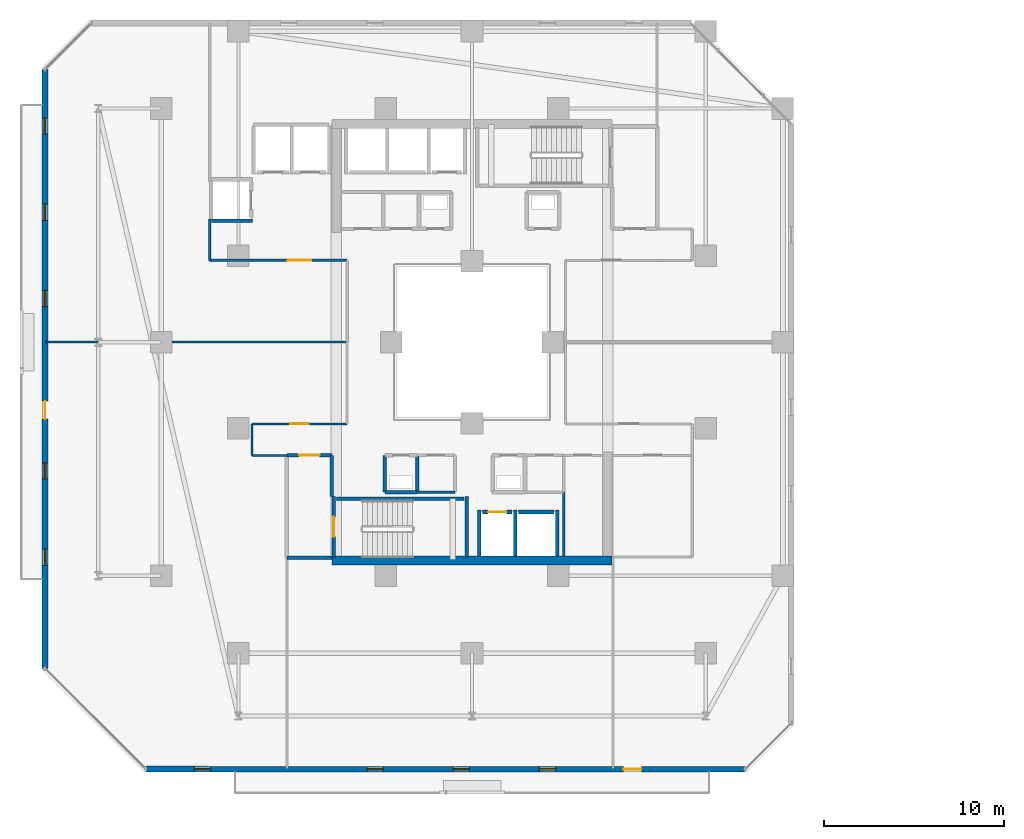
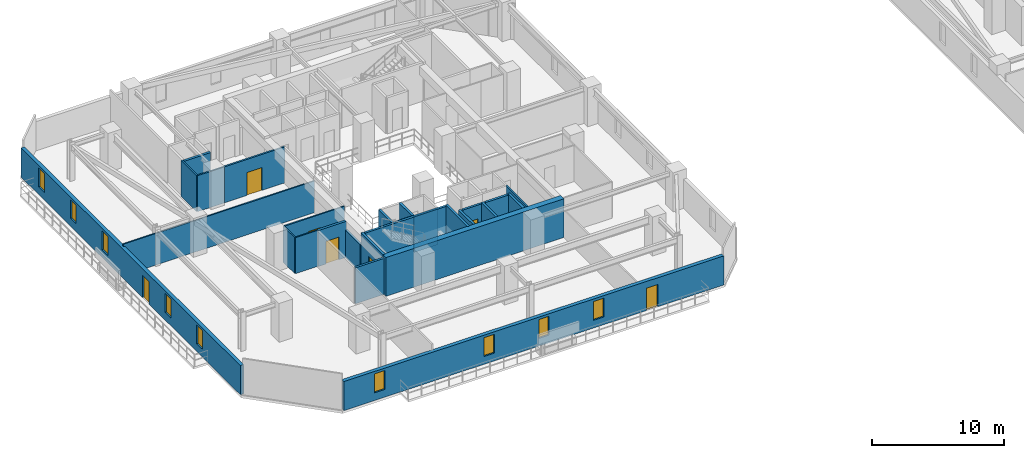
# One storey, part 18 of 31: 27 walls, 9 windows, 7 doors, 16 openings.
"""IFC4 building model written with IfcOpenShell, lengths in metres."""

from ifc_helpers import new_model, si_unit, direction, frame, frame_2d, origin, place, context, subcontext, project, spatial, rectangle, extrude, material, layer, layer_set, type_object, element, fill, save


model = new_model("IFC4")

# Units and contexts
model_context = context("Model", 3, precision=1e-05, world=origin(), true_north=direction((0.0, 1.0)))
body_context = subcontext(model_context, "Body", "Model", "MODEL_VIEW")
ifc_project = project(units=[si_unit("LENGTHUNIT", "METRE"), si_unit("AREAUNIT", "SQUARE_METRE"), si_unit("VOLUMEUNIT", "CUBIC_METRE"), si_unit("PLANEANGLEUNIT", "RADIAN"), si_unit("MASSUNIT", "GRAM", prefix="KILO")], contexts=[model_context])

# Site, building, storey
site_placement = place(None, origin())
site = spatial("IfcSite", under=ifc_project, at=site_placement, CompositionType="ELEMENT")
building_placement = place(site_placement, origin())
building = spatial("IfcBuilding", under=site, at=building_placement, Name="Thornwick Lancets Civic Towers", CompositionType="ELEMENT")
storey_placement = place(building_placement, frame((0.0, 0.0, 126.89990234375)))
storey = spatial("IfcBuildingStorey", under=building, at=storey_placement, Name="L33", CompositionType="ELEMENT", Elevation=126.89990234375)

# Wall, opening, door
ifc_material_1 = material(Name="Concrete blockwork C40/50", Category="masonry")
ifc_layer_1 = layer(ifc_material_1, 0.199951171875, Name="Concrete blockwork C40/50")
ifc_layer_set_1 = layer_set([ifc_layer_1], Name="Concrete blockwork C40/50")
wall_type_1 = type_object("IfcWallType", Name="WALL_COMP_200", PredefinedType="STANDARD", material=ifc_layer_set_1)
wall_1_placement = place(storey_placement, frame((26.080078125, 17.550048828125, 0.0), z_axis=(0.0, 0.0, 1.0), x_axis=(1.0, 0.0, 0.0)))
wall_1 = element("IfcWall", 1, at=wall_1_placement, inside=storey, type_object=wall_type_1, Name="L33 Hoistway Front Wall FL-A1", PredefinedType="STANDARD", context=body_context, shape_type="SweptSolid", body=[
    extrude(rectangle(XDim=1.639892578125, YDim=0.199951171875, at=frame_2d((0.81982421875, 0.0))), origin(), (0.0, 0.0, 1.0), 3.340087890625),
])
opening_1_placement = place(wall_1_placement, frame((0.31005859375, 0.0, 0.0)))
opening_1 = element("IfcOpeningElement", 2, at=opening_1_placement, cuts=wall_1, Name="Opening LD-FL-A1", PredefinedType="OPENING", context=body_context, shape_type="SweptSolid", body=[
    extrude(rectangle(XDim=1.02001953125, YDim=2.06005859375, at=frame_2d((0.510009765625, 1.030029296875))), frame((0.0, 0.10986328125, 0.0), z_axis=(0.0, -1.0, 0.0), x_axis=(1.0, 0.0, 0.0)), (0.0, 0.0, 1.0), 0.219970703125),
])
ifc_material_2 = material(Name="Brushed bronze stainless steel", Category="steel")
door_type_1 = type_object("IfcDoorType", Name="DOOR_LIFT_SLIDE", OperationType="SLIDING_TO_LEFT", PredefinedType="DOOR", material=ifc_material_2)
door_1_placement = place(opening_1_placement, origin())
door_1 = element("IfcDoor", 3, at=door_1_placement, inside=storey, type_object=door_type_1, Name="L33 Sliding Lift Landing Door LD-FL-A1", OperationType="SLIDING_TO_LEFT", OverallHeight=2.06005859375, OverallWidth=1.02001953125, PredefinedType="DOOR", context=body_context, shape_type="SweptSolid", body=[
    extrude(rectangle(XDim=1.02001953125, YDim=2.06005859375, at=frame_2d((0.510009765625, 1.030029296875))), frame((0.0, 0.02490234375, 0.0), z_axis=(0.0, -1.0, 0.0), x_axis=(1.0, 0.0, 0.0)), (0.0, 0.0, 1.0), 0.050048828125),
])
fill(opening_1, door_1)

# Walls
wall_2_placement = place(storey_placement, frame((28.080078125, 17.550048828125, 0.0), z_axis=(0.0, 0.0, 1.0), x_axis=(1.0, 0.0, 0.0)))
element("IfcWall", 4, at=wall_2_placement, inside=storey, type_object=wall_type_1, Name="L33 Hoistway Front Wall PL-AH1", PredefinedType="STANDARD", context=body_context, shape_type="SweptSolid", body=[
    extrude(rectangle(XDim=1.989990234375, YDim=0.199951171875, at=frame_2d((0.9951171875, 0.0))), origin(), (0.0, 0.0, 1.0), 3.340087890625),
])
for number, where, z_axis, x_axis, name in (
    (5, (27.89990234375, 15.112060546875, 0.0), (0.0, 0.0, 1.0), (0.0, 1.0, 0.0), "L33 Hoistway Shaft Wall FL-A1 E"),
    (6, (25.89990234375, 15.112060546875, 0.0), (0.0, 0.0, 1.0), (0.0, 1.0, 0.0), "L33 Hoistway Shaft Wall FL-A1 W"),
    (7, (30.25, 15.112060546875, 0.0), (0.0, 0.0, 1.0), (0.0, 1.0, 0.0), "L33 Hoistway Shaft Wall PL-AH1 E"),
):
    element("IfcWall", number, at=place(storey_placement, frame(where, z_axis=z_axis, x_axis=x_axis)), inside=storey, type_object=wall_type_1, Name=name, PredefinedType="STANDARD", context=body_context, shape_type="SweptSolid", body=[
        extrude(rectangle(XDim=2.535888671875, YDim=0.199951171875, at=frame_2d((1.26806640625, 0.0))), origin(), (0.0, 0.0, 1.0), 3.340087890625),
    ])
wall_3_placement = place(storey_placement, frame((11.001953125, 33.75, 0.0), z_axis=(0.0, 0.0, 1.0), x_axis=(1.0, 0.0, 0.0)))
element("IfcWall", 8, at=wall_3_placement, inside=storey, type_object=wall_type_1, Name="L33 Hoistway Shaft Wall PL-AM3 S", PredefinedType="STANDARD", context=body_context, shape_type="SweptSolid", body=[
    extrude(rectangle(XDim=2.296142578125, YDim=0.199951171875, at=frame_2d((1.14794921875, 0.0))), origin(), (0.0, 0.0, 1.0), 3.340087890625),
])
wall_4_placement = place(storey_placement, frame((15.199951171875, 15.0, 0.0), z_axis=(0.0, 0.0, 1.0), x_axis=(1.0, 0.0, 0.0)))
element("IfcWall", 9, at=wall_4_placement, inside=storey, type_object=wall_type_1, Name="L33 Partition L33-A-FFLOB1 E1", PredefinedType="STANDARD", context=body_context, shape_type="SweptSolid", body=[
    extrude(rectangle(XDim=2.5, YDim=0.199951171875, at=frame_2d((1.25, 0.0))), origin(), (0.0, 0.0, 1.0), 3.340087890625),
])
wall_5_placement = place(storey_placement, frame((17.699951171875, 18.39990234375, 0.0), z_axis=(0.0, 0.0, 1.0), x_axis=(0.0, 1.0, 0.0)))
element("IfcWall", 10, at=wall_5_placement, inside=storey, type_object=wall_type_1, Name="L33 Partition L33-A-FFLOB1 E2", PredefinedType="STANDARD", context=body_context, shape_type="SweptSolid", body=[
    extrude(rectangle(XDim=2.300048828125, YDim=0.199951171875, at=frame_2d((1.14990234375, 0.0))), origin(), (0.0, 0.0, 1.0), 2.545166015625),
])

# Wall, opening, door
wall_6_placement = place(storey_placement, frame((17.699951171875, 20.699951171875, 0.0), z_axis=(0.0, 0.0, 1.0), x_axis=(-1.0, 0.0, 0.0)))
wall_6 = element("IfcWall", 11, at=wall_6_placement, inside=storey, type_object=wall_type_1, Name="L33 Partition L33-A-FFLOB1 E3", PredefinedType="STANDARD", context=body_context, shape_type="SweptSolid", body=[
    extrude(rectangle(XDim=2.5, YDim=0.199951171875, at=frame_2d((1.25, 0.0))), origin(), (0.0, 0.0, 1.0), 3.340087890625),
])
opening_2_placement = place(wall_6_placement, frame((0.675048828125, 0.0, 0.0)))
opening_2 = element("IfcOpeningElement", 12, at=opening_2_placement, cuts=wall_6, Name="Opening D-L33-1493", PredefinedType="OPENING", context=body_context, shape_type="SweptSolid", body=[
    extrude(rectangle(XDim=1.14990234375, YDim=2.10009765625, at=frame_2d((0.574951171875, 1.050048828125))), frame((0.0, 0.10986328125, 0.0), z_axis=(0.0, -1.0, 0.0), x_axis=(1.0, 0.0, 0.0)), (0.0, 0.0, 1.0), 0.219970703125),
])
ifc_material_3 = material(Name="Glazed fire-resisting steel", Category="steel")
door_type_2 = type_object("IfcDoorType", Name="DOOR_LOBBY_FD60", OperationType="NOTDEFINED", PredefinedType="DOOR", material=ifc_material_3)
door_2_placement = place(opening_2_placement, origin())
door_2 = element("IfcDoor", 13, at=door_2_placement, inside=storey, type_object=door_type_2, Name="L33 South Firefighting Lobby 1 Door", OperationType="SINGLE_SWING_RIGHT", OverallHeight=2.10009765625, OverallWidth=1.14990234375, PredefinedType="DOOR", context=body_context, shape_type="SweptSolid", body=[
    extrude(rectangle(XDim=1.14990234375, YDim=2.10009765625, at=frame_2d((0.574951171875, 1.050048828125))), frame((0.0, 0.02490234375, 0.0), z_axis=(0.0, -1.0, 0.0), x_axis=(1.0, 0.0, 0.0)), (0.0, 0.0, 1.0), 0.050048828125),
])
fill(opening_2, door_2)

# Walls
wall_7_placement = place(storey_placement, frame((20.64990234375, 18.64990234375, 0.0), z_axis=(0.0, 0.0, 1.0), x_axis=(1.0, 0.0, 0.0)))
element("IfcWall", 14, at=wall_7_placement, inside=storey, type_object=wall_type_1, Name="L33 Partition L33-A-RISER1 E1", PredefinedType="STANDARD", context=body_context, shape_type="SweptSolid", body=[
    extrude(rectangle(XDim=1.800048828125, YDim=0.199951171875, at=frame_2d((0.89990234375, 0.0))), origin(), (0.0, 0.0, 1.0), 3.340087890625),
])
for number, where, z_axis, x_axis, name in (
    (15, (22.449951171875, 18.64990234375, 0.0), (0.0, 0.0, 1.0), (0.0, 1.0, 0.0), "L33 Partition L33-A-RISER1 E2"),
    (16, (20.64990234375, 20.699951171875, 0.0), (0.0, 0.0, 1.0), (0.0, -1.0, 0.0), "L33 Partition L33-A-RISER1 E4"),
):
    element("IfcWall", number, at=place(storey_placement, frame(where, z_axis=z_axis, x_axis=x_axis)), inside=storey, type_object=wall_type_1, Name=name, PredefinedType="STANDARD", context=body_context, shape_type="SweptSolid", body=[
        extrude(rectangle(XDim=2.050048828125, YDim=0.199951171875, at=frame_2d((1.02490234375, 0.0))), origin(), (0.0, 0.0, 1.0), 3.340087890625),
    ])
ifc_material_4 = material(Name="Concrete C50/60", Category="concrete")
ifc_layer_2 = layer(ifc_material_4, 0.5, Name="Concrete C50/60")
ifc_layer_set_2 = layer_set([ifc_layer_2], Name="Concrete C50/60")
wall_type_2 = type_object("IfcWallType", Name="WALL_CORE_500", PredefinedType="SHEAR", material=ifc_layer_set_2)
wall_8_placement = place(storey_placement, frame((17.699951171875, 14.85009765625, 0.0), z_axis=(0.0, 0.0, 1.0), x_axis=(1.0, 0.0, 0.0)))
element("IfcWall", 17, at=wall_8_placement, inside=storey, type_object=wall_type_2, Name="L33 Split Core A1 Shear Wall S", PredefinedType="SHEAR", context=body_context, shape_type="SweptSolid", body=[
    extrude(rectangle(XDim=15.60009765625, YDim=0.5, at=frame_2d((7.800048828125, 0.0))), origin(), (0.0, 0.0, 1.0), 3.60009765625),
])

# Wall, openings, door, windows
ifc_material_5 = material(Name="Insulated buff terracotta rainscreen on concrete C40/50", Category="masonry")
ifc_layer_3 = layer(ifc_material_5, 0.320068359375, Name="Insulated buff terracotta rainscreen on concrete C40/50")
ifc_layer_set_3 = layer_set([ifc_layer_3], Name="Insulated buff terracotta rainscreen on concrete C40/50")
wall_type_3 = type_object("IfcWallType", Name="WALL_EXT_TERRA_320", PredefinedType="STANDARD", material=ifc_layer_set_3)
wall_9_placement = place(storey_placement, frame((7.35205078125, 3.245361328125, 0.0), z_axis=(0.0, 0.0, 1.0), x_axis=(0.999999954901, -0.000300328883, 0.0)))
wall_9 = element("IfcWall", 18, at=wall_9_placement, inside=storey, type_object=wall_type_3, Name="L33 Tower A Terracotta Facade Wall E0", PredefinedType="STANDARD", context=body_context, shape_type="SweptSolid", body=[
    extrude(rectangle(XDim=33.329345703125, YDim=0.320068359375, at=frame_2d((16.66455078125, 0.0))), origin(), (0.0, 0.0, 1.0), 2.7001953125),
])
opening_3_placement = place(wall_9_placement, frame((26.564697265625, 0.0, 0.0)))
opening_3 = element("IfcOpeningElement", 19, at=opening_3_placement, cuts=wall_9, Name="Opening D-BL-L33-AS", PredefinedType="OPENING", context=body_context, shape_type="SweptSolid", body=[
    extrude(rectangle(XDim=1.0, YDim=2.080078125, at=frame_2d((0.5, 1.0400390625))), frame((0.0, 0.169921875, 0.0), z_axis=(0.0, -1.0, 0.0), x_axis=(1.0, 0.0, 0.0)), (0.0, 0.0, 1.0), 0.340087890625),
])
opening_4_placement = place(wall_9_placement, frame((2.699951171875, 0.0, 0.719970703125)))
opening_4 = element("IfcOpeningElement", 20, at=opening_4_placement, cuts=wall_9, Name="Opening WL-01", PredefinedType="OPENING", context=body_context, shape_type="SweptSolid", body=[
    extrude(rectangle(XDim=0.89990234375, YDim=1.75, at=frame_2d((0.449951171875, 0.875))), frame((0.0, 0.169921875, 0.0), z_axis=(0.0, -1.0, 0.0), x_axis=(1.0, 0.0, 0.0)), (0.0, 0.0, 1.0), 0.340087890625),
])
opening_5_placement = place(wall_9_placement, frame((12.300048828125, 0.0, 0.719970703125)))
opening_5 = element("IfcOpeningElement", 21, at=opening_5_placement, cuts=wall_9, Name="Opening WL-01", PredefinedType="OPENING", context=body_context, shape_type="SweptSolid", body=[
    extrude(rectangle(XDim=0.89990234375, YDim=1.75, at=frame_2d((0.449951171875, 0.875))), frame((0.0, 0.169921875, 0.0), z_axis=(0.0, -1.0, 0.0), x_axis=(1.0, 0.0, 0.0)), (0.0, 0.0, 1.0), 0.340087890625),
])
opening_6_placement = place(wall_9_placement, frame((17.10009765625, 0.0, 0.719970703125)))
opening_6 = element("IfcOpeningElement", 22, at=opening_6_placement, cuts=wall_9, Name="Opening WL-01", PredefinedType="OPENING", context=body_context, shape_type="SweptSolid", body=[
    extrude(rectangle(XDim=0.89990234375, YDim=1.75, at=frame_2d((0.449951171875, 0.875))), frame((0.0, 0.169921875, 0.0), z_axis=(0.0, -1.0, 0.0), x_axis=(1.0, 0.0, 0.0)), (0.0, 0.0, 1.0), 0.340087890625),
])
opening_7_placement = place(wall_9_placement, frame((21.89990234375, 0.0, 0.719970703125)))
opening_7 = element("IfcOpeningElement", 23, at=opening_7_placement, cuts=wall_9, Name="Opening WL-01", PredefinedType="OPENING", context=body_context, shape_type="SweptSolid", body=[
    extrude(rectangle(XDim=0.89990234375, YDim=1.75, at=frame_2d((0.449951171875, 0.875))), frame((0.0, 0.169921875, 0.0), z_axis=(0.0, -1.0, 0.0), x_axis=(1.0, 0.0, 0.0)), (0.0, 0.0, 1.0), 0.340087890625),
])
ifc_material_6 = material(Name="Thermally broken glazed loggia doorset")
door_type_3 = type_object("IfcDoorType", Name="DOOR_BALC_1000", OperationType="NOTDEFINED", PredefinedType="DOOR", material=ifc_material_6)
door_3_placement = place(opening_3_placement, origin())
door_3 = element("IfcDoor", 24, at=door_3_placement, inside=storey, type_object=door_type_3, Name="L33 Tower A Loggia Balcony Door S", OperationType="SINGLE_SWING_RIGHT", OverallHeight=2.080078125, OverallWidth=1.0, PredefinedType="DOOR", context=body_context, shape_type="SweptSolid", body=[
    extrude(rectangle(XDim=1.0, YDim=2.080078125, at=frame_2d((0.5, 1.0400390625))), frame((0.0, 0.02490234375, 0.0), z_axis=(0.0, -1.0, 0.0), x_axis=(1.0, 0.0, 0.0)), (0.0, 0.0, 1.0), 0.050048828125),
])
fill(opening_3, door_3)
ifc_material_7 = material(Name="Clear low-e double glazing in bronze frame", Category="glass")
window_type = type_object("IfcWindowType", Name="WIN_LANCET_900", PartitioningType="SINGLE_PANEL", PredefinedType="WINDOW", material=ifc_material_7)
window_1_placement = place(opening_4_placement, origin())
window_1 = element("IfcWindow", 25, at=window_1_placement, inside=storey, type_object=window_type, Name="L33 Tower A Staggered Lancet Window E0-1", OverallHeight=1.75, OverallWidth=0.89990234375, PartitioningType="SINGLE_PANEL", PredefinedType="WINDOW", context=body_context, shape_type="SweptSolid", body=[
    extrude(rectangle(XDim=0.89990234375, YDim=1.75, at=frame_2d((0.449951171875, 0.875))), frame((0.0, 0.030029296875, 0.0), z_axis=(0.0, -1.0, 0.0), x_axis=(1.0, 0.0, 0.0)), (0.0, 0.0, 1.0), 0.06005859375),
])
fill(opening_4, window_1)
window_2_placement = place(opening_5_placement, origin())
window_2 = element("IfcWindow", 26, at=window_2_placement, inside=storey, type_object=window_type, Name="L33 Tower A Staggered Lancet Window E0-2", OverallHeight=1.75, OverallWidth=0.89990234375, PartitioningType="SINGLE_PANEL", PredefinedType="WINDOW", context=body_context, shape_type="SweptSolid", body=[
    extrude(rectangle(XDim=0.89990234375, YDim=1.75, at=frame_2d((0.449951171875, 0.875))), frame((0.0, 0.030029296875, 0.0), z_axis=(0.0, -1.0, 0.0), x_axis=(1.0, 0.0, 0.0)), (0.0, 0.0, 1.0), 0.06005859375),
])
fill(opening_5, window_2)
window_3_placement = place(opening_6_placement, origin())
window_3 = element("IfcWindow", 27, at=window_3_placement, inside=storey, type_object=window_type, Name="L33 Tower A Staggered Lancet Window E0-3", OverallHeight=1.75, OverallWidth=0.89990234375, PartitioningType="SINGLE_PANEL", PredefinedType="WINDOW", context=body_context, shape_type="SweptSolid", body=[
    extrude(rectangle(XDim=0.89990234375, YDim=1.75, at=frame_2d((0.449951171875, 0.875))), frame((0.0, 0.030029296875, 0.0), z_axis=(0.0, -1.0, 0.0), x_axis=(1.0, 0.0, 0.0)), (0.0, 0.0, 1.0), 0.06005859375),
])
fill(opening_6, window_3)
window_4_placement = place(opening_7_placement, origin())
window_4 = element("IfcWindow", 28, at=window_4_placement, inside=storey, type_object=window_type, Name="L33 Tower A Staggered Lancet Window E0-4", OverallHeight=1.75, OverallWidth=0.89990234375, PartitioningType="SINGLE_PANEL", PredefinedType="WINDOW", context=body_context, shape_type="SweptSolid", body=[
    extrude(rectangle(XDim=0.89990234375, YDim=1.75, at=frame_2d((0.449951171875, 0.875))), frame((0.0, 0.030029296875, 0.0), z_axis=(0.0, -1.0, 0.0), x_axis=(1.0, 0.0, 0.0)), (0.0, 0.0, 1.0), 0.06005859375),
])
fill(opening_7, window_4)

wall_10_placement = place(storey_placement, frame((1.7353515625, 42.181396484375, 0.0), z_axis=(0.0, 0.0, 1.0), x_axis=(0.000300328883, -0.999999954901, 0.0)))
wall_10 = element("IfcWall", 29, at=wall_10_placement, inside=storey, type_object=wall_type_3, Name="L33 Tower A Terracotta Facade Wall E6", PredefinedType="STANDARD", context=body_context, shape_type="SweptSolid", body=[
    extrude(rectangle(XDim=33.329345703125, YDim=0.320068359375, at=frame_2d((16.66455078125, 0.0))), origin(), (0.0, 0.0, 1.0), 2.7001953125),
])
opening_8_placement = place(wall_10_placement, frame((18.464599609375, 0.0, 0.0)))
opening_8 = element("IfcOpeningElement", 30, at=opening_8_placement, cuts=wall_10, Name="Opening D-BL-L33-AW", PredefinedType="OPENING", context=body_context, shape_type="SweptSolid", body=[
    extrude(rectangle(XDim=1.0, YDim=2.080078125, at=frame_2d((0.5, 1.0400390625))), frame((0.0, 0.169921875, 0.0), z_axis=(0.0, -1.0, 0.0), x_axis=(1.0, 0.0, 0.0)), (0.0, 0.0, 1.0), 0.340087890625),
])
opening_9_placement = place(wall_10_placement, frame((2.699951171875, 0.0, 0.719970703125)))
opening_9 = element("IfcOpeningElement", 31, at=opening_9_placement, cuts=wall_10, Name="Opening WL-01", PredefinedType="OPENING", context=body_context, shape_type="SweptSolid", body=[
    extrude(rectangle(XDim=0.89990234375, YDim=1.75, at=frame_2d((0.449951171875, 0.875))), frame((0.0, 0.169921875, 0.0), z_axis=(0.0, -1.0, 0.0), x_axis=(1.0, 0.0, 0.0)), (0.0, 0.0, 1.0), 0.340087890625),
])
opening_10_placement = place(wall_10_placement, frame((7.5, 0.0, 0.719970703125)))
opening_10 = element("IfcOpeningElement", 32, at=opening_10_placement, cuts=wall_10, Name="Opening WL-01", PredefinedType="OPENING", context=body_context, shape_type="SweptSolid", body=[
    extrude(rectangle(XDim=0.89990234375, YDim=1.75, at=frame_2d((0.449951171875, 0.875))), frame((0.0, 0.169921875, 0.0), z_axis=(0.0, -1.0, 0.0), x_axis=(1.0, 0.0, 0.0)), (0.0, 0.0, 1.0), 0.340087890625),
])
opening_11_placement = place(wall_10_placement, frame((12.300048828125, 0.0, 0.719970703125)))
opening_11 = element("IfcOpeningElement", 33, at=opening_11_placement, cuts=wall_10, Name="Opening WL-01", PredefinedType="OPENING", context=body_context, shape_type="SweptSolid", body=[
    extrude(rectangle(XDim=0.89990234375, YDim=1.75, at=frame_2d((0.449951171875, 0.875))), frame((0.0, 0.169921875, 0.0), z_axis=(0.0, -1.0, 0.0), x_axis=(1.0, 0.0, 0.0)), (0.0, 0.0, 1.0), 0.340087890625),
])
opening_12_placement = place(wall_10_placement, frame((21.89990234375, 0.0, 0.719970703125)))
opening_12 = element("IfcOpeningElement", 34, at=opening_12_placement, cuts=wall_10, Name="Opening WL-01", PredefinedType="OPENING", context=body_context, shape_type="SweptSolid", body=[
    extrude(rectangle(XDim=0.89990234375, YDim=1.75, at=frame_2d((0.449951171875, 0.875))), frame((0.0, 0.169921875, 0.0), z_axis=(0.0, -1.0, 0.0), x_axis=(1.0, 0.0, 0.0)), (0.0, 0.0, 1.0), 0.340087890625),
])
opening_13_placement = place(wall_10_placement, frame((26.699951171875, 0.0, 0.719970703125)))
opening_13 = element("IfcOpeningElement", 35, at=opening_13_placement, cuts=wall_10, Name="Opening WL-01", PredefinedType="OPENING", context=body_context, shape_type="SweptSolid", body=[
    extrude(rectangle(XDim=0.89990234375, YDim=1.75, at=frame_2d((0.449951171875, 0.875))), frame((0.0, 0.169921875, 0.0), z_axis=(0.0, -1.0, 0.0), x_axis=(1.0, 0.0, 0.0)), (0.0, 0.0, 1.0), 0.340087890625),
])
door_4_placement = place(opening_8_placement, origin())
door_4 = element("IfcDoor", 36, at=door_4_placement, inside=storey, type_object=door_type_3, Name="L33 Tower A Loggia Balcony Door W", OperationType="SINGLE_SWING_RIGHT", OverallHeight=2.080078125, OverallWidth=1.0, PredefinedType="DOOR", context=body_context, shape_type="SweptSolid", body=[
    extrude(rectangle(XDim=1.0, YDim=2.080078125, at=frame_2d((0.5, 1.0400390625))), frame((0.0, 0.02490234375, 0.0), z_axis=(0.0, -1.0, 0.0), x_axis=(1.0, 0.0, 0.0)), (0.0, 0.0, 1.0), 0.050048828125),
])
fill(opening_8, door_4)
window_5_placement = place(opening_9_placement, origin())
window_5 = element("IfcWindow", 37, at=window_5_placement, inside=storey, type_object=window_type, Name="L33 Tower A Staggered Lancet Window E6-1", OverallHeight=1.75, OverallWidth=0.89990234375, PartitioningType="SINGLE_PANEL", PredefinedType="WINDOW", context=body_context, shape_type="SweptSolid", body=[
    extrude(rectangle(XDim=0.89990234375, YDim=1.75, at=frame_2d((0.449951171875, 0.875))), frame((0.0, 0.030029296875, 0.0), z_axis=(0.0, -1.0, 0.0), x_axis=(1.0, 0.0, 0.0)), (0.0, 0.0, 1.0), 0.06005859375),
])
fill(opening_9, window_5)
window_6_placement = place(opening_10_placement, origin())
window_6 = element("IfcWindow", 38, at=window_6_placement, inside=storey, type_object=window_type, Name="L33 Tower A Staggered Lancet Window E6-2", OverallHeight=1.75, OverallWidth=0.89990234375, PartitioningType="SINGLE_PANEL", PredefinedType="WINDOW", context=body_context, shape_type="SweptSolid", body=[
    extrude(rectangle(XDim=0.89990234375, YDim=1.75, at=frame_2d((0.449951171875, 0.875))), frame((0.0, 0.030029296875, 0.0), z_axis=(0.0, -1.0, 0.0), x_axis=(1.0, 0.0, 0.0)), (0.0, 0.0, 1.0), 0.06005859375),
])
fill(opening_10, window_6)
window_7_placement = place(opening_11_placement, origin())
window_7 = element("IfcWindow", 39, at=window_7_placement, inside=storey, type_object=window_type, Name="L33 Tower A Staggered Lancet Window E6-3", OverallHeight=1.75, OverallWidth=0.89990234375, PartitioningType="SINGLE_PANEL", PredefinedType="WINDOW", context=body_context, shape_type="SweptSolid", body=[
    extrude(rectangle(XDim=0.89990234375, YDim=1.75, at=frame_2d((0.449951171875, 0.875))), frame((0.0, 0.030029296875, 0.0), z_axis=(0.0, -1.0, 0.0), x_axis=(1.0, 0.0, 0.0)), (0.0, 0.0, 1.0), 0.06005859375),
])
fill(opening_11, window_7)
window_8_placement = place(opening_12_placement, origin())
window_8 = element("IfcWindow", 40, at=window_8_placement, inside=storey, type_object=window_type, Name="L33 Tower A Staggered Lancet Window E6-4", OverallHeight=1.75, OverallWidth=0.89990234375, PartitioningType="SINGLE_PANEL", PredefinedType="WINDOW", context=body_context, shape_type="SweptSolid", body=[
    extrude(rectangle(XDim=0.89990234375, YDim=1.75, at=frame_2d((0.449951171875, 0.875))), frame((0.0, 0.030029296875, 0.0), z_axis=(0.0, -1.0, 0.0), x_axis=(1.0, 0.0, 0.0)), (0.0, 0.0, 1.0), 0.06005859375),
])
fill(opening_12, window_8)
window_9_placement = place(opening_13_placement, origin())
window_9 = element("IfcWindow", 41, at=window_9_placement, inside=storey, type_object=window_type, Name="L33 Tower A Staggered Lancet Window E6-5", OverallHeight=1.75, OverallWidth=0.89990234375, PartitioningType="SINGLE_PANEL", PredefinedType="WINDOW", context=body_context, shape_type="SweptSolid", body=[
    extrude(rectangle(XDim=0.89990234375, YDim=1.75, at=frame_2d((0.449951171875, 0.875))), frame((0.0, 0.030029296875, 0.0), z_axis=(0.0, -1.0, 0.0), x_axis=(1.0, 0.0, 0.0)), (0.0, 0.0, 1.0), 0.06005859375),
])
fill(opening_13, window_9)

# Wall
ifc_material_8 = material(Name="Acoustic gypsum board partition")
ifc_layer_4 = layer(ifc_material_8, 0.1201171875, Name="Acoustic gypsum board partition")
ifc_layer_set_4 = layer_set([ifc_layer_4], Name="Acoustic gypsum board partition")
wall_type_4 = type_object("IfcWallType", Name="WALL_PART_120", PredefinedType="PARTITIONING", material=ifc_layer_set_4)
wall_11_placement = place(storey_placement, frame((30.60009765625, 15.10009765625, 0.0), z_axis=(0.0, 0.0, 1.0), x_axis=(0.0, 1.0, 0.0)))
element("IfcWall", 42, at=wall_11_placement, inside=storey, type_object=wall_type_4, Name="L33 Partition L33-A-ITR E3", PredefinedType="PARTITIONING", context=body_context, shape_type="SweptSolid", body=[
    extrude(rectangle(XDim=3.5498046875, YDim=0.1201171875, at=frame_2d((1.77490234375, 0.0))), origin(), (0.0, 0.0, 1.0), 3.340087890625),
])

# Wall, opening, door
wall_12_placement = place(storey_placement, frame((18.550048828125, 22.449951171875, 0.0), z_axis=(0.0, 0.0, 1.0), x_axis=(-1.0, 0.0, 0.0)))
wall_12 = element("IfcWall", 43, at=wall_12_placement, inside=storey, type_object=wall_type_4, Name="L33 Partition L33-A-W1 E1", PredefinedType="PARTITIONING", context=body_context, shape_type="SweptSolid", body=[
    extrude(rectangle(XDim=5.300048828125, YDim=0.1201171875, at=frame_2d((2.64990234375, 0.0))), origin(), (0.0, 0.0, 1.0), 3.340087890625),
])
opening_14_placement = place(wall_12_placement, frame((2.125, 0.0, 0.0)))
opening_14 = element("IfcOpeningElement", 44, at=opening_14_placement, cuts=wall_12, Name="Opening D-L33-1516", PredefinedType="OPENING", context=body_context, shape_type="SweptSolid", body=[
    extrude(rectangle(XDim=1.050048828125, YDim=2.10009765625, at=frame_2d((0.52490234375, 1.050048828125))), frame((0.0, 0.070068359375, 0.0), z_axis=(0.0, -1.0, 0.0), x_axis=(1.0, 0.0, 0.0)), (0.0, 0.0, 1.0), 0.14013671875),
])
ifc_material_9 = material(Name="Glazed European oak executive doorset")
door_type_4 = type_object("IfcDoorType", Name="DOOR_OFFICE_1050", OperationType="NOTDEFINED", PredefinedType="DOOR", material=ifc_material_9)
door_5_placement = place(opening_14_placement, origin())
door_5 = element("IfcDoor", 45, at=door_5_placement, inside=storey, type_object=door_type_4, Name="L33 Tower A Ministry Directorate Office W1 Door", OperationType="SINGLE_SWING_LEFT", OverallHeight=2.10009765625, OverallWidth=1.050048828125, PredefinedType="DOOR", context=body_context, shape_type="SweptSolid", body=[
    extrude(rectangle(XDim=1.050048828125, YDim=2.10009765625, at=frame_2d((0.52490234375, 1.050048828125))), frame((0.0, 0.02490234375, 0.0), z_axis=(0.0, -1.0, 0.0), x_axis=(1.0, 0.0, 0.0)), (0.0, 0.0, 1.0), 0.050048828125),
])
fill(opening_14, door_5)

# Walls
wall_13_placement = place(storey_placement, frame((13.25, 22.449951171875, 0.0), z_axis=(0.0, 0.0, 1.0), x_axis=(0.0, -1.0, 0.0)))
element("IfcWall", 46, at=wall_13_placement, inside=storey, type_object=wall_type_4, Name="L33 Partition L33-A-W1 E2", PredefinedType="PARTITIONING", context=body_context, shape_type="SweptSolid", body=[
    extrude(rectangle(XDim=1.75, YDim=0.1201171875, at=frame_2d((0.875, 0.0))), origin(), (0.0, 0.0, 1.0), 3.340087890625),
])
wall_14_placement = place(storey_placement, frame((13.25, 20.699951171875, 0.0), z_axis=(0.0, 0.0, 1.0), x_axis=(1.0, 0.0, 0.0)))
element("IfcWall", 47, at=wall_14_placement, inside=storey, type_object=wall_type_4, Name="L33 Partition L33-A-W1 E3", PredefinedType="PARTITIONING", context=body_context, shape_type="SweptSolid", body=[
    extrude(rectangle(XDim=1.949951171875, YDim=0.1201171875, at=frame_2d((0.97509765625, 0.0))), origin(), (0.0, 0.0, 1.0), 3.340087890625),
])
wall_15_placement = place(storey_placement, frame((1.780029296875, 27.0, 0.0), z_axis=(0.0, 0.0, 1.0), x_axis=(1.0, 0.0, 0.0)))
element("IfcWall", 48, at=wall_15_placement, inside=storey, type_object=wall_type_4, Name="L33 Partition L33-A-W1 E9", PredefinedType="PARTITIONING", context=body_context, shape_type="SweptSolid", body=[
    extrude(rectangle(XDim=16.77001953125, YDim=0.1201171875, at=frame_2d((8.385009765625, 0.0))), origin(), (0.0, 0.0, 1.0), 2.932373046875),
])
ifc_material_10 = material(Name="Twin-stud acoustic gypsum board")
ifc_layer_5 = layer(ifc_material_10, 0.14990234375, Name="Twin-stud acoustic gypsum board")
ifc_layer_set_5 = layer_set([ifc_layer_5], Name="Twin-stud acoustic gypsum board")
wall_type_5 = type_object("IfcWallType", Name="WALL_PART_150", PredefinedType="PARTITIONING", material=ifc_layer_set_5)
wall_16_placement = place(storey_placement, frame((24.550048828125, 18.64990234375, 0.0), z_axis=(0.0, 0.0, 1.0), x_axis=(-1.0, 0.0, 0.0)))
element("IfcWall", 49, at=wall_16_placement, inside=storey, type_object=wall_type_5, Name="L33 Partition L33-A-MWC E2", PredefinedType="PARTITIONING", context=body_context, shape_type="SweptSolid", body=[
    extrude(rectangle(XDim=2.10009765625, YDim=0.14990234375, at=frame_2d((1.050048828125, 0.0))), origin(), (0.0, 0.0, 1.0), 3.340087890625),
])

# Wall, opening, door
wall_17_placement = place(storey_placement, frame((13.25, 31.550048828125, 0.0), z_axis=(0.0, 0.0, 1.0), x_axis=(1.0, 0.0, 0.0)))
wall_17 = element("IfcWall", 50, at=wall_17_placement, inside=storey, type_object=wall_type_5, Name="L33 Partition L33-A-W2 E1", PredefinedType="PARTITIONING", context=body_context, shape_type="SweptSolid", body=[
    extrude(rectangle(XDim=5.300048828125, YDim=0.14990234375, at=frame_2d((2.64990234375, 0.0))), origin(), (0.0, 0.0, 1.0), 3.340087890625),
])
opening_15_placement = place(wall_17_placement, frame((2.0, 0.0, 0.0)))
opening_15 = element("IfcOpeningElement", 51, at=opening_15_placement, cuts=wall_17, Name="Opening D-L33-1517", PredefinedType="OPENING", context=body_context, shape_type="SweptSolid", body=[
    extrude(rectangle(XDim=1.300048828125, YDim=2.1201171875, at=frame_2d((0.64990234375, 1.06005859375))), frame((0.0, 0.0849609375, 0.0), z_axis=(0.0, -1.0, 0.0), x_axis=(1.0, 0.0, 0.0)), (0.0, 0.0, 1.0), 0.169921875),
])
ifc_material_11 = material(Name="Acoustic oak leaf-and-a-half doorset")
door_type_5 = type_object("IfcDoorType", Name="DOOR_MEET_1300", OperationType="DOUBLE_DOOR_SINGLE_SWING", PredefinedType="DOOR", material=ifc_material_11)
door_6_placement = place(opening_15_placement, origin())
door_6 = element("IfcDoor", 52, at=door_6_placement, inside=storey, type_object=door_type_5, Name="L33 Tower A Policy Briefing Room W2 Door", OperationType="DOUBLE_DOOR_SINGLE_SWING", OverallHeight=2.1201171875, OverallWidth=1.300048828125, PredefinedType="DOOR", context=body_context, shape_type="SweptSolid", body=[
    extrude(rectangle(XDim=1.300048828125, YDim=2.1201171875, at=frame_2d((0.64990234375, 1.06005859375))), frame((0.0, 0.02490234375, 0.0), z_axis=(0.0, -1.0, 0.0), x_axis=(1.0, 0.0, 0.0)), (0.0, 0.0, 1.0), 0.050048828125),
])
fill(opening_15, door_6)

# Walls
wall_18_placement = place(storey_placement, frame((10.89990234375, 33.862060546875, 0.0), z_axis=(0.0, 0.0, 1.0), x_axis=(0.0, -1.0, 0.0)))
element("IfcWall", 53, at=wall_18_placement, inside=storey, type_object=wall_type_5, Name="L33 Partition L33-A-W2 E7", PredefinedType="PARTITIONING", context=body_context, shape_type="SweptSolid", body=[
    extrude(rectangle(XDim=2.31201171875, YDim=0.14990234375, at=frame_2d((1.156005859375, 0.0))), origin(), (0.0, 0.0, 1.0), 3.340087890625),
])
wall_19_placement = place(storey_placement, frame((10.89990234375, 31.550048828125, 0.0), z_axis=(0.0, 0.0, 1.0), x_axis=(1.0, 0.0, 0.0)))
element("IfcWall", 54, at=wall_19_placement, inside=storey, type_object=wall_type_5, Name="L33 Partition L33-A-W2 E8", PredefinedType="PARTITIONING", context=body_context, shape_type="SweptSolid", body=[
    extrude(rectangle(XDim=2.35009765625, YDim=0.14990234375, at=frame_2d((1.175048828125, 0.0))), origin(), (0.0, 0.0, 1.0), 3.340087890625),
])

# Wall, opening, door
ifc_material_12 = material(Name="Concrete C40/50", Category="concrete")
ifc_layer_6 = layer(ifc_material_12, 0.199951171875, Name="Concrete C40/50")
ifc_layer_set_6 = layer_set([ifc_layer_6], Name="Concrete C40/50")
wall_type_6 = type_object("IfcWallType", Name="WALL_SHAFT_200", PredefinedType="SHEAR", material=ifc_layer_set_6)
wall_20_placement = place(storey_placement, frame((17.800048828125, 15.050048828125, 0.0), z_axis=(0.0, 0.0, 1.0), x_axis=(0.0, 1.0, 0.0)))
wall_20 = element("IfcWall", 55, at=wall_20_placement, inside=storey, type_object=wall_type_6, Name="L33 ST-A1 Fire Stair Core Wall NEAR", PredefinedType="SHEAR", context=body_context, shape_type="SweptSolid", body=[
    extrude(rectangle(XDim=3.349853515625, YDim=0.199951171875, at=frame_2d((1.6748046875, 0.0))), origin(), (0.0, 0.0, 1.0), 3.60009765625),
])
opening_16_placement = place(wall_20_placement, frame((1.125, 0.0, 0.0)))
opening_16 = element("IfcOpeningElement", 56, at=opening_16_placement, cuts=wall_20, Name="Opening D-ST-A1-L33", PredefinedType="OPENING", context=body_context, shape_type="SweptSolid", body=[
    extrude(rectangle(XDim=1.10009765625, YDim=2.10009765625, at=frame_2d((0.550048828125, 1.050048828125))), frame((0.0, 0.10986328125, 0.0), z_axis=(0.0, -1.0, 0.0), x_axis=(1.0, 0.0, 0.0)), (0.0, 0.0, 1.0), 0.219970703125),
])
ifc_material_13 = material(Name="Fire-resisting steel and hardwood", Category="steel")
door_type_6 = type_object("IfcDoorType", Name="DOOR_STAIR_FD60", OperationType="NOTDEFINED", PredefinedType="DOOR", material=ifc_material_13)
door_7_placement = place(opening_16_placement, origin())
door_7 = element("IfcDoor", 57, at=door_7_placement, inside=storey, type_object=door_type_6, Name="L33 ST-A1 Exit Stair Door", OperationType="SINGLE_SWING_RIGHT", OverallHeight=2.10009765625, OverallWidth=1.10009765625, PredefinedType="DOOR", context=body_context, shape_type="SweptSolid", body=[
    extrude(rectangle(XDim=1.10009765625, YDim=2.10009765625, at=frame_2d((0.550048828125, 1.050048828125))), frame((0.0, 0.02490234375, 0.0), z_axis=(0.0, -1.0, 0.0), x_axis=(1.0, 0.0, 0.0)), (0.0, 0.0, 1.0), 0.050048828125),
])
fill(opening_16, door_7)

# Walls
wall_21_placement = place(storey_placement, frame((25.199951171875, 18.39990234375, 0.0), z_axis=(0.0, 0.0, 1.0), x_axis=(0.0, -1.0, 0.0)))
element("IfcWall", 58, at=wall_21_placement, inside=storey, type_object=wall_type_6, Name="L33 ST-A1 Fire Stair Core Wall FAR", PredefinedType="SHEAR", context=body_context, shape_type="SweptSolid", body=[
    extrude(rectangle(XDim=3.349853515625, YDim=0.199951171875, at=frame_2d((1.6748046875, 0.0))), origin(), (0.0, 0.0, 1.0), 3.60009765625),
])
wall_22_placement = place(storey_placement, frame((25.050048828125, 18.297119140625, 0.0), z_axis=(0.0, 0.0, 1.0), x_axis=(-1.0, 0.0, 0.0)))
element("IfcWall", 59, at=wall_22_placement, inside=storey, type_object=wall_type_6, Name="L33 ST-A1 Fire Stair Core Wall RIGHT", PredefinedType="SHEAR", context=body_context, shape_type="SweptSolid", body=[
    extrude(rectangle(XDim=7.10009765625, YDim=0.199951171875, at=frame_2d((3.550048828125, 0.0))), origin(), (0.0, 0.0, 1.0), 3.60009765625),
])

save(model, "model.ifc")
